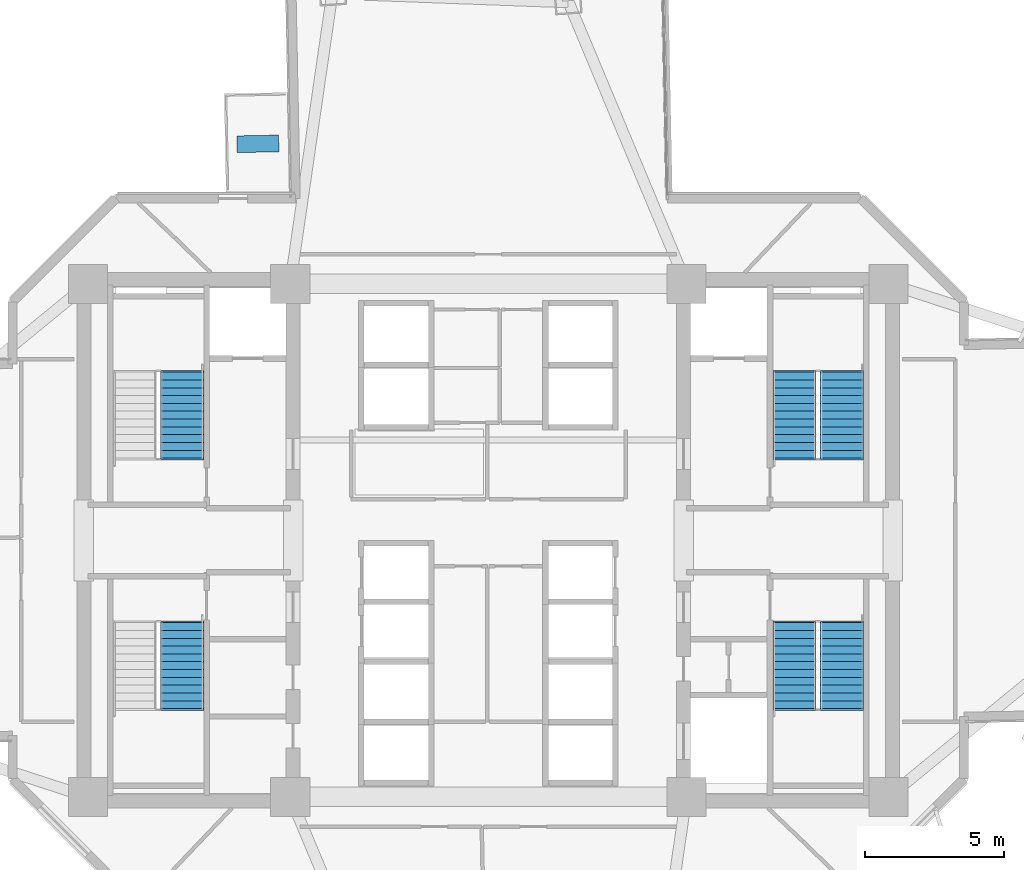
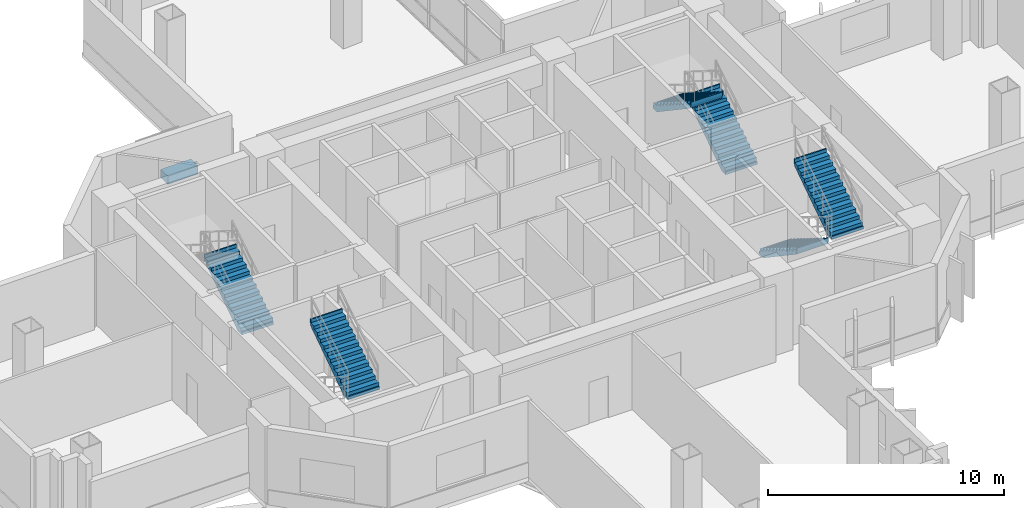
# One storey, part 10 of 15: 6 stair flights, 1 discrete accessory, 4 elements without a shape of their own.
"""IFC4 building model written with IfcOpenShell, lengths in metres."""

from ifc_helpers import new_model, si_unit, direction, frame, origin, origin_2d, place, context, subcontext, project, spatial, polyline, rectangle, outline, extrude, source, transform, mapped, material, type_object, element, aggregate, save


model = new_model("IFC4")

# Units and contexts
model_context = context("Model", 3, precision=1e-05, world=origin(), true_north=direction((0.0, 1.0)))
body_context = subcontext(model_context, "Body", "Model", "MODEL_VIEW")
ifc_project = project(units=[si_unit("LENGTHUNIT", "METRE"), si_unit("AREAUNIT", "SQUARE_METRE"), si_unit("VOLUMEUNIT", "CUBIC_METRE"), si_unit("PLANEANGLEUNIT", "RADIAN"), si_unit("MASSUNIT", "GRAM", prefix="KILO")], contexts=[model_context])

# Site, building, storey
site_placement = place(None, origin())
site = spatial("IfcSite", under=ifc_project, at=site_placement, CompositionType="ELEMENT")
building_placement = place(site_placement, origin())
building = spatial("IfcBuilding", under=site, at=building_placement, Name="Zahravan Cultural Tower", CompositionType="ELEMENT")
storey_placement = place(building_placement, frame((0.0, 0.0, 45.89990234375)))
storey = spatial("IfcBuildingStorey", under=building, at=storey_placement, Name="L09", CompositionType="ELEMENT", Elevation=45.89990234375)

# Stair, stair flight
ifc_material_1 = material(Name="Concrete C45/55", Category="concrete")
stair_type = type_object("IfcStairType", Name="STR-DL-1550-420", PredefinedType="HALF_TURN_STAIR", material=ifc_material_1)
stair_1_placement = place(storey_placement, origin())
stair_1 = element("IfcStair", 1, at=stair_1_placement, inside=storey, type_object=stair_type, Name="L09 West Core North Exit Stair ST-W1", PredefinedType="HALF_TURN_STAIR")
stair_flight_type = type_object("IfcStairFlightType", Name="FLG-DL-1550-420", PredefinedType="STRAIGHT", material=ifc_material_1)
stair_flight_1_placement = place(storey_placement, frame((25.02490234375, 29.949951171875, 0.0), z_axis=(0.0, 0.0, 1.0), x_axis=(0.0, 1.0, 0.0)))
stair_flight_1 = element("IfcStairFlight", 2, at=stair_flight_1_placement, type_object=stair_flight_type, Name="ST-W1 flight 1", NumberOfRisers=12, NumberOfTreads=11, PredefinedType="STRAIGHT", RiserHeight=0.175, TreadLength=0.28, context=body_context, shape_type="SweptSolid", body=[
    extrude(outline(polyline([(-0.06494140625, -0.139892578125), (-0.06494140625, 0.0), (0.0, 0.0), (0.0, 0.175048828125), (0.280029296875, 0.175048828125), (0.280029296875, 0.35009765625), (0.56005859375, 0.35009765625), (0.56005859375, 0.52490234375), (0.840087890625, 0.52490234375), (0.840087890625, 0.699951171875), (1.1201171875, 0.699951171875), (1.1201171875, 0.875), (1.39990234375, 0.875), (1.39990234375, 1.050048828125), (1.679931640625, 1.050048828125), (1.679931640625, 1.22509765625), (1.9599609375, 1.22509765625), (1.9599609375, 1.39990234375), (2.239990234375, 1.39990234375), (2.239990234375, 1.574951171875), (2.52001953125, 1.574951171875), (2.52001953125, 1.75), (2.800048828125, 1.75), (2.800048828125, 1.925048828125), (3.080078125, 1.925048828125), (3.080078125, 2.10009765625), (3.14501953125, 2.10009765625), (3.14501953125, 1.9501953125), (3.080078125, 1.748291015625), (0.28271484375, -0.139892578125), (-0.06494140625, -0.139892578125)])), frame((0.0, 0.77490234375, 0.0), z_axis=(0.0, -1.0, 0.0), x_axis=(1.0, 0.0, 0.0)), (0.0, 0.0, 1.0), 1.550048828125),
])
aggregate(stair_1, [stair_flight_1])

stair_2_placement = place(storey_placement, origin())
stair_2 = element("IfcStair", 3, at=stair_2_placement, inside=storey, type_object=stair_type, Name="L09 West Core South Exit Stair ST-W2", PredefinedType="HALF_TURN_STAIR")
stair_flight_2_placement = place(storey_placement, frame((25.02490234375, 20.969970703125, 2.10009765625), z_axis=(0.0, 0.0, 1.0), x_axis=(0.0, 1.0, 0.0)))
stair_flight_2 = element("IfcStairFlight", 4, at=stair_flight_2_placement, type_object=stair_flight_type, Name="ST-W2 flight 2", NumberOfRisers=12, NumberOfTreads=11, PredefinedType="STRAIGHT", RiserHeight=0.175, TreadLength=0.28, context=body_context, shape_type="SweptSolid", body=[
    extrude(outline(polyline([(-0.06494140625, -0.139892578125), (-0.06494140625, 0.0), (0.0, 0.0), (0.0, 0.175048828125), (0.280029296875, 0.175048828125), (0.280029296875, 0.35009765625), (0.56005859375, 0.35009765625), (0.56005859375, 0.52490234375), (0.840087890625, 0.52490234375), (0.840087890625, 0.699951171875), (1.1201171875, 0.699951171875), (1.1201171875, 0.875), (1.39990234375, 0.875), (1.39990234375, 1.050048828125), (1.679931640625, 1.050048828125), (1.679931640625, 1.22509765625), (1.9599609375, 1.22509765625), (1.9599609375, 1.39990234375), (2.239990234375, 1.39990234375), (2.239990234375, 1.574951171875), (2.52001953125, 1.574951171875), (2.52001953125, 1.75), (2.800048828125, 1.75), (2.800048828125, 1.925048828125), (3.080078125, 1.925048828125), (3.080078125, 2.10009765625), (3.14501953125, 2.10009765625), (3.14501953125, 1.9501953125), (3.080078125, 1.748291015625), (0.28271484375, -0.139892578125), (-0.06494140625, -0.139892578125)])), frame((0.0, 0.77490234375, 0.0), z_axis=(0.0, -1.0, 0.0), x_axis=(1.0, 0.0, 0.0)), (0.0, 0.0, 1.0), 1.550048828125),
])
aggregate(stair_2, [stair_flight_2])

# Stair, stair flights
stair_3_placement = place(storey_placement, origin())
stair_3 = element("IfcStair", 5, at=stair_3_placement, inside=storey, type_object=stair_type, Name="L09 East Core North Exit Stair ST-E1", PredefinedType="HALF_TURN_STAIR")
stair_flight_3_placement = place(storey_placement, frame((48.675048828125, 29.949951171875, 0.0), z_axis=(0.0, 0.0, 1.0), x_axis=(0.0, 1.0, 0.0)))
stair_flight_3 = element("IfcStairFlight", 6, at=stair_flight_3_placement, type_object=stair_flight_type, Name="ST-E1 flight 1", NumberOfRisers=12, NumberOfTreads=11, PredefinedType="STRAIGHT", RiserHeight=0.175, TreadLength=0.28, context=body_context, shape_type="SweptSolid", body=[
    extrude(outline(polyline([(-0.06494140625, -0.139892578125), (-0.06494140625, 0.0), (0.0, 0.0), (0.0, 0.175048828125), (0.280029296875, 0.175048828125), (0.280029296875, 0.35009765625), (0.56005859375, 0.35009765625), (0.56005859375, 0.52490234375), (0.840087890625, 0.52490234375), (0.840087890625, 0.699951171875), (1.1201171875, 0.699951171875), (1.1201171875, 0.875), (1.39990234375, 0.875), (1.39990234375, 1.050048828125), (1.679931640625, 1.050048828125), (1.679931640625, 1.22509765625), (1.9599609375, 1.22509765625), (1.9599609375, 1.39990234375), (2.239990234375, 1.39990234375), (2.239990234375, 1.574951171875), (2.52001953125, 1.574951171875), (2.52001953125, 1.75), (2.800048828125, 1.75), (2.800048828125, 1.925048828125), (3.080078125, 1.925048828125), (3.080078125, 2.10009765625), (3.14501953125, 2.10009765625), (3.14501953125, 1.9501953125), (3.080078125, 1.748291015625), (0.28271484375, -0.139892578125), (-0.06494140625, -0.139892578125)])), frame((0.0, 0.77490234375, 0.0), z_axis=(0.0, -1.0, 0.0), x_axis=(1.0, 0.0, 0.0)), (0.0, 0.0, 1.0), 1.550048828125),
])
stair_flight_4_placement = place(storey_placement, frame((46.97509765625, 33.030029296875, 2.10009765625), z_axis=(0.0, 0.0, 1.0), x_axis=(0.0, -1.0, 0.0)))
stair_flight_4 = element("IfcStairFlight", 7, at=stair_flight_4_placement, type_object=stair_flight_type, Name="ST-E1 flight 2", NumberOfRisers=12, NumberOfTreads=11, PredefinedType="STRAIGHT", RiserHeight=0.175, TreadLength=0.28, context=body_context, shape_type="SweptSolid", body=[
    extrude(outline(polyline([(-0.06494140625, -0.139892578125), (-0.06494140625, 0.0), (0.0, 0.0), (0.0, 0.175048828125), (0.280029296875, 0.175048828125), (0.280029296875, 0.35009765625), (0.56005859375, 0.35009765625), (0.56005859375, 0.52490234375), (0.840087890625, 0.52490234375), (0.840087890625, 0.699951171875), (1.1201171875, 0.699951171875), (1.1201171875, 0.875), (1.39990234375, 0.875), (1.39990234375, 1.050048828125), (1.679931640625, 1.050048828125), (1.679931640625, 1.22509765625), (1.9599609375, 1.22509765625), (1.9599609375, 1.39990234375), (2.239990234375, 1.39990234375), (2.239990234375, 1.574951171875), (2.52001953125, 1.574951171875), (2.52001953125, 1.75), (2.800048828125, 1.75), (2.800048828125, 1.925048828125), (3.080078125, 1.925048828125), (3.080078125, 2.10009765625), (3.14501953125, 2.10009765625), (3.14501953125, 1.9501953125), (3.080078125, 1.748291015625), (0.28271484375, -0.139892578125), (-0.06494140625, -0.139892578125)])), frame((0.0, 0.77490234375, 0.0), z_axis=(0.0, -1.0, 0.0), x_axis=(1.0, 0.0, 0.0)), (0.0, 0.0, 1.0), 1.550048828125),
])
aggregate(stair_3, [stair_flight_3, stair_flight_4])

stair_4_placement = place(storey_placement, origin())
stair_4 = element("IfcStair", 8, at=stair_4_placement, inside=storey, type_object=stair_type, Name="L09 East Core South Exit Stair ST-E2", PredefinedType="HALF_TURN_STAIR")
stair_flight_5_placement = place(storey_placement, frame((46.97509765625, 24.050048828125, 0.0), z_axis=(0.0, 0.0, 1.0), x_axis=(0.0, -1.0, 0.0)))
stair_flight_5 = element("IfcStairFlight", 9, at=stair_flight_5_placement, type_object=stair_flight_type, Name="ST-E2 flight 1", NumberOfRisers=12, NumberOfTreads=11, PredefinedType="STRAIGHT", RiserHeight=0.175, TreadLength=0.28, context=body_context, shape_type="SweptSolid", body=[
    extrude(outline(polyline([(-0.06494140625, -0.139892578125), (-0.06494140625, 0.0), (0.0, 0.0), (0.0, 0.175048828125), (0.280029296875, 0.175048828125), (0.280029296875, 0.35009765625), (0.56005859375, 0.35009765625), (0.56005859375, 0.52490234375), (0.840087890625, 0.52490234375), (0.840087890625, 0.699951171875), (1.1201171875, 0.699951171875), (1.1201171875, 0.875), (1.39990234375, 0.875), (1.39990234375, 1.050048828125), (1.679931640625, 1.050048828125), (1.679931640625, 1.22509765625), (1.9599609375, 1.22509765625), (1.9599609375, 1.39990234375), (2.239990234375, 1.39990234375), (2.239990234375, 1.574951171875), (2.52001953125, 1.574951171875), (2.52001953125, 1.75), (2.800048828125, 1.75), (2.800048828125, 1.925048828125), (3.080078125, 1.925048828125), (3.080078125, 2.10009765625), (3.14501953125, 2.10009765625), (3.14501953125, 1.9501953125), (3.080078125, 1.748291015625), (0.28271484375, -0.139892578125), (-0.06494140625, -0.139892578125)])), frame((0.0, 0.77490234375, 0.0), z_axis=(0.0, -1.0, 0.0), x_axis=(1.0, 0.0, 0.0)), (0.0, 0.0, 1.0), 1.550048828125),
])
stair_flight_6_placement = place(storey_placement, frame((48.675048828125, 20.969970703125, 2.10009765625), z_axis=(0.0, 0.0, 1.0), x_axis=(0.0, 1.0, 0.0)))
stair_flight_6 = element("IfcStairFlight", 10, at=stair_flight_6_placement, type_object=stair_flight_type, Name="ST-E2 flight 2", NumberOfRisers=12, NumberOfTreads=11, PredefinedType="STRAIGHT", RiserHeight=0.175, TreadLength=0.28, context=body_context, shape_type="SweptSolid", body=[
    extrude(outline(polyline([(-0.06494140625, -0.139892578125), (-0.06494140625, 0.0), (0.0, 0.0), (0.0, 0.175048828125), (0.280029296875, 0.175048828125), (0.280029296875, 0.35009765625), (0.56005859375, 0.35009765625), (0.56005859375, 0.52490234375), (0.840087890625, 0.52490234375), (0.840087890625, 0.699951171875), (1.1201171875, 0.699951171875), (1.1201171875, 0.875), (1.39990234375, 0.875), (1.39990234375, 1.050048828125), (1.679931640625, 1.050048828125), (1.679931640625, 1.22509765625), (1.9599609375, 1.22509765625), (1.9599609375, 1.39990234375), (2.239990234375, 1.39990234375), (2.239990234375, 1.574951171875), (2.52001953125, 1.574951171875), (2.52001953125, 1.75), (2.800048828125, 1.75), (2.800048828125, 1.925048828125), (3.080078125, 1.925048828125), (3.080078125, 2.10009765625), (3.14501953125, 2.10009765625), (3.14501953125, 1.9501953125), (3.080078125, 1.748291015625), (0.28271484375, -0.139892578125), (-0.06494140625, -0.139892578125)])), frame((0.0, 0.77490234375, 0.0), z_axis=(0.0, -1.0, 0.0), x_axis=(1.0, 0.0, 0.0)), (0.0, 0.0, 1.0), 1.550048828125),
])
aggregate(stair_4, [stair_flight_5, stair_flight_6])

# Discrete accessory
ifc_material_2 = material(Name="Planted soil and terracotta planter", Category="masonry")
discrete_accessory_type = type_object("IfcDiscreteAccessoryType", Name="ACC-PLANTER-TC", PredefinedType="USERDEFINED", material=ifc_material_2)
shared_shape = source(origin(), body_context, "Body", "SweptSolid", [
    extrude(rectangle(XDim=1.5, YDim=0.60009765625, at=origin_2d()), origin(), (0.0, 0.0, 1.0), 0.419921875),
])
discrete_accessory_placement = place(storey_placement, frame((27.738037109375, 41.21728515625, 0.000244140625), z_axis=(0.0, 0.0, 1.0), x_axis=(0.999802066131, 0.019895440708, 0.0)))
element("IfcDiscreteAccessory", 11, at=discrete_accessory_placement, inside=storey, type_object=discrete_accessory_type, Name="L09 Terracotta Sculpture Planter NW", ObjectType="PLANTER", PredefinedType="USERDEFINED", context=body_context, shape_type="MappedRepresentation", body=[
    mapped(shared_shape, transform((0.0, 0.0, 0.0), x_axis=(1.0, 0.0, 0.0), y_axis=(0.0, 1.0, 0.0), z_axis=(0.0, 0.0, 1.0), scale=1.0)),
])

save(model, "model.ifc")
